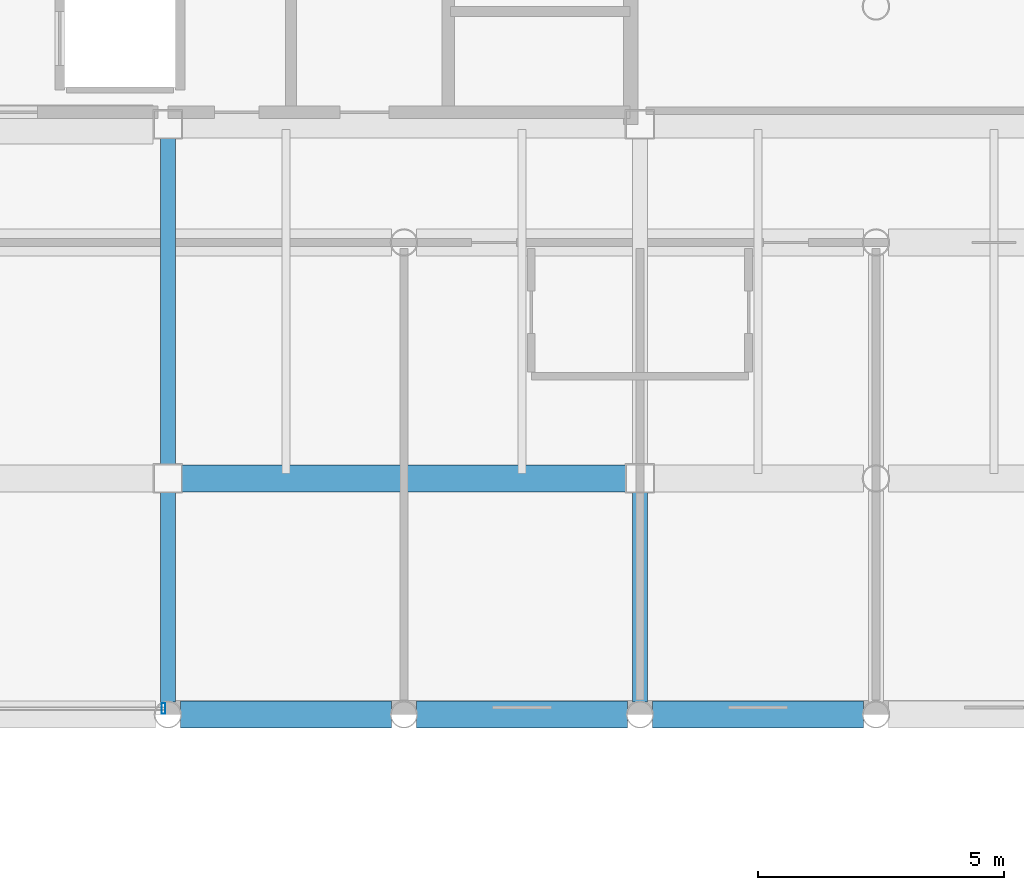
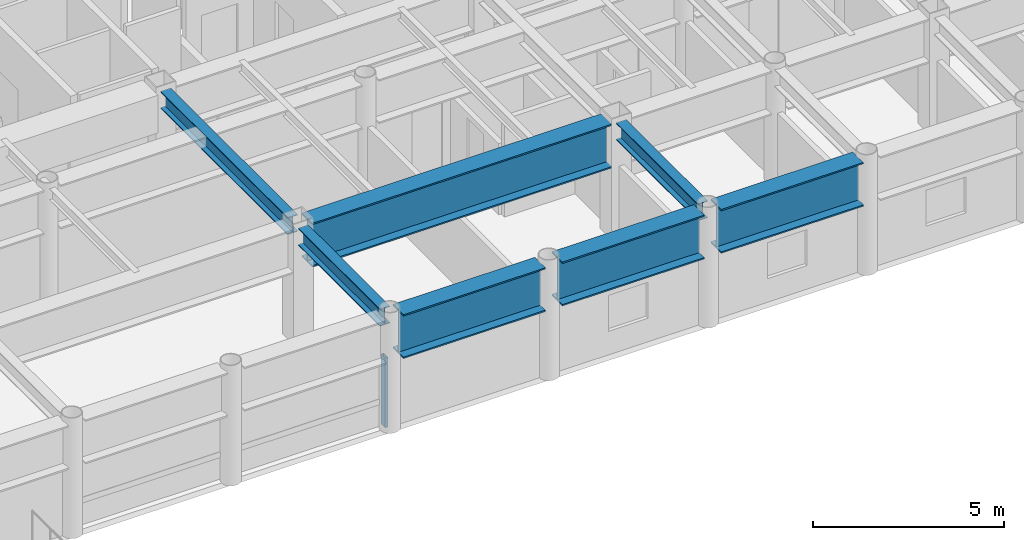
# One storey, part 8 of 26: 7 beams, 1 member, 1 element without a shape of its own.
"""IFC4 building model written with IfcOpenShell, lengths in metres."""

from ifc_helpers import new_model, si_unit, direction, frame, origin, origin_2d, place, context, subcontext, project, spatial, hollow_rectangle, i_section, extrude, material, layer, layer_set, material_profile, profile_set, type_object, element, aggregate, save


model = new_model("IFC4")

# Units and contexts
model_context = context("Model", 3, precision=1e-05, world=origin(), true_north=direction((0.0, 1.0)))
body_context = subcontext(model_context, "Body", "Model", "MODEL_VIEW")
ifc_project = project(units=[si_unit("LENGTHUNIT", "METRE"), si_unit("AREAUNIT", "SQUARE_METRE"), si_unit("VOLUMEUNIT", "CUBIC_METRE"), si_unit("PLANEANGLEUNIT", "RADIAN"), si_unit("MASSUNIT", "GRAM", prefix="KILO")], contexts=[model_context])

# Site, building, storey
site_placement = place(None, origin())
site = spatial("IfcSite", under=ifc_project, at=site_placement, CompositionType="ELEMENT")
building_placement = place(site_placement, origin())
building = spatial("IfcBuilding", under=site, at=building_placement, Name="Kallvorn Hotel Tower", CompositionType="ELEMENT")
storey_placement = place(building_placement, frame((0.0, 0.0, 222.300048828125)))
storey = spatial("IfcBuildingStorey", under=building, at=storey_placement, Name="L55", CompositionType="ELEMENT", Elevation=222.300048828125)

# Beams
ifc_material_1 = material(Name="Structural steel S355JR", Category="steel")
ifc_material_profile_1 = material_profile(ifc_material_1, i_section(OverallWidth=0.300048828125, OverallDepth=0.550048828125, WebThickness=0.014892578125, FlangeThickness=0.029052734375, at=origin_2d()), Name="HE 550 B")
ifc_profile_set_1 = profile_set([ifc_material_profile_1], Name="Structural steel S355JR")
beam_type_1 = type_object("IfcBeamType", Name="BM_HE550B", PredefinedType="SPANDREL", material=ifc_profile_set_1)
beam_1_placement = place(storey_placement, frame((4.800048828125, -18.945556640625, 3.39501953125), z_axis=(0.0, 1.0, 0.0), x_axis=(-1.0, 0.0, 0.0)))
element("IfcBeam", 1, at=beam_1_placement, inside=storey, type_object=beam_type_1, Name="L56 Primary Y-Girder 113", PredefinedType="SPANDREL", context=body_context, shape_type="SweptSolid", body=[
    extrude(i_section(OverallWidth=0.300048828125, OverallDepth=0.550048828125, WebThickness=0.014892578125, FlangeThickness=0.029052734375, at=origin_2d()), origin(), (0.0, 0.0, 1.0), 4.2705078125),
])
beam_2_placement = place(storey_placement, frame((4.800048828125, -14.125, 3.39501953125), z_axis=(0.0, 1.0, 0.0), x_axis=(-1.0, 0.0, 0.0)))
element("IfcBeam", 2, at=beam_2_placement, inside=storey, type_object=beam_type_1, Name="L56 Primary Y-Girder 114", PredefinedType="SPANDREL", context=body_context, shape_type="SweptSolid", body=[
    extrude(i_section(OverallWidth=0.300048828125, OverallDepth=0.550048828125, WebThickness=0.014892578125, FlangeThickness=0.029052734375, at=origin_2d()), origin(), (0.0, 0.0, 1.0), 6.64990234375),
])
beam_3_placement = place(storey_placement, frame((14.39990234375, -18.945556640625, 3.39501953125), z_axis=(0.0, 1.0, 0.0), x_axis=(-1.0, 0.0, 0.0)))
element("IfcBeam", 3, at=beam_3_placement, inside=storey, type_object=beam_type_1, Name="L56 Primary Y-Girder 121", PredefinedType="SPANDREL", context=body_context, shape_type="SweptSolid", body=[
    extrude(i_section(OverallWidth=0.300048828125, OverallDepth=0.550048828125, WebThickness=0.014892578125, FlangeThickness=0.029052734375, at=origin_2d()), origin(), (0.0, 0.0, 1.0), 4.2705078125),
])
ifc_material_2 = material(Name="Structural steel S355JR", Category="steel")
ifc_material_profile_2 = material_profile(ifc_material_2, i_section(OverallWidth=0.550048828125, OverallDepth=1.39990234375, WebThickness=0.02490234375, FlangeThickness=0.044921875, at=origin_2d()), Name="PG 1400x550x25x45")
ifc_profile_set_2 = profile_set([ifc_material_profile_2], Name="Structural steel S355JR")
beam_type_2 = type_object("IfcBeamType", Name="BM_PG_1400", PredefinedType="BEAM", material=ifc_profile_set_2)
for number, where, z_axis, x_axis, name in (
    (4, (5.054443359375, -19.199951171875, 2.969970703125), (1.0, 0.0, 0.0), (0.0, 1.0, 0.0), "L56 Primary X-Girder 08"),
    (5, (9.8544921875, -19.199951171875, 2.969970703125), (1.0, 0.0, 0.0), (0.0, 1.0, 0.0), "L56 Primary X-Girder 09"),
    (6, (14.654541015625, -19.199951171875, 2.969970703125), (1.0, 0.0, 0.0), (0.0, 1.0, 0.0), "L56 Primary X-Girder 10"),
):
    element("IfcBeam", number, at=place(storey_placement, frame(where, z_axis=z_axis, x_axis=x_axis)), inside=storey, type_object=beam_type_2, Name=name, PredefinedType="BEAM", context=body_context, shape_type="SweptSolid", body=[
        extrude(i_section(OverallWidth=0.550048828125, OverallDepth=1.39990234375, WebThickness=0.02490234375, FlangeThickness=0.044921875, at=origin_2d()), origin(), (0.0, 0.0, 1.0), 4.291015625),
    ])
beam_4_placement = place(storey_placement, frame((5.074951171875, -14.39990234375, 2.969970703125), z_axis=(1.0, 0.0, 0.0), x_axis=(0.0, 1.0, 0.0)))
element("IfcBeam", 7, at=beam_4_placement, inside=storey, type_object=beam_type_2, Name="L56 Primary X-Girder 18", PredefinedType="BEAM", context=body_context, shape_type="SweptSolid", body=[
    extrude(i_section(OverallWidth=0.550048828125, OverallDepth=1.39990234375, WebThickness=0.02490234375, FlangeThickness=0.044921875, at=origin_2d()), origin(), (0.0, 0.0, 1.0), 9.050048828125),
])

# Curtain wall, member
ifc_material_3 = material(Name="Thermally broken black-anodised aluminium AA 6063-T6", Category="aluminium")
ifc_layer = layer(ifc_material_3, 0.22998046875)
ifc_layer_set = layer_set([ifc_layer], Name="CW_SYS_5_HOTEL_HIGH")
curtain_wall_type = type_object("IfcCurtainWallType", Name="CW_SYS_5_HOTEL_HIGH", PredefinedType="USERDEFINED", material=ifc_layer_set)
curtain_wall_placement = place(storey_placement, origin())
curtain_wall = element("IfcCurtainWall", 8, at=curtain_wall_placement, inside=storey, type_object=curtain_wall_type, Name="L55 Dark-Glass Curtain Wall CW-L55-SC", ObjectType="UNITISED CURTAIN WALL", PredefinedType="USERDEFINED")
ifc_material_4 = material(Name="Thermally broken black-anodised aluminium AA 6063-T6", Category="aluminium")
ifc_material_profile_3 = material_profile(ifc_material_4, hollow_rectangle(XDim=0.080078125, YDim=0.219970703125, WallThickness=0.0048828125, at=origin_2d()), Name="MUL 220x80")
ifc_profile_set_3 = profile_set([ifc_material_profile_3], Name="Thermally broken black-anodised aluminium AA 6063-T6")
member_type = type_object("IfcMemberType", Name="CW_MULLION_220x80", PredefinedType="MULLION", material=ifc_profile_set_3)
member_placement = place(storey_placement, frame((4.7099609375, -19.080078125, 0.02001953125), z_axis=(0.0, 0.0, 1.0), x_axis=(1.0, 0.0, 0.0)))
member = element("IfcMember", 9, at=member_placement, type_object=member_type, Name="CW-L55-SC Mullion 02", PredefinedType="MULLION", context=body_context, shape_type="SweptSolid", body=[
    extrude(hollow_rectangle(XDim=0.080078125, YDim=0.219970703125, WallThickness=0.0048828125, at=origin_2d()), origin(), (0.0, 0.0, 1.0), 2.22998046875),
])
aggregate(curtain_wall, [member])

save(model, "model.ifc")
